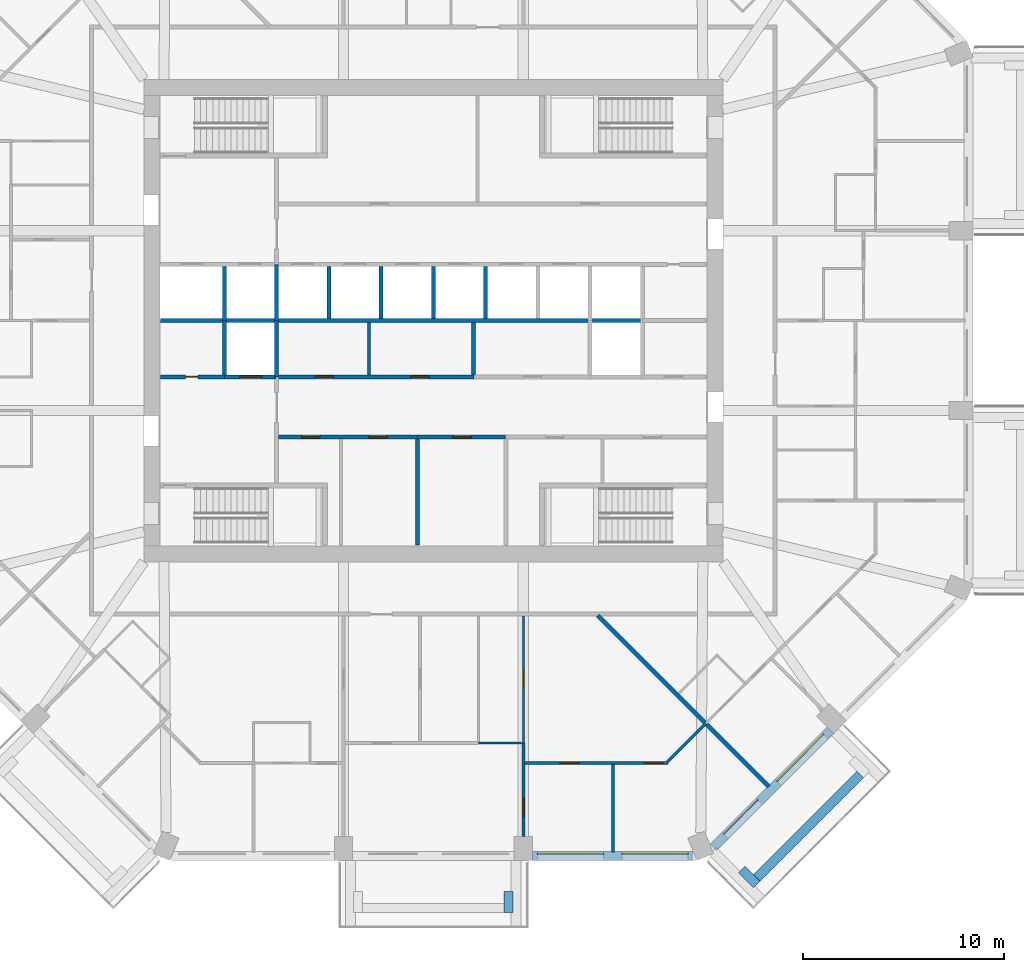
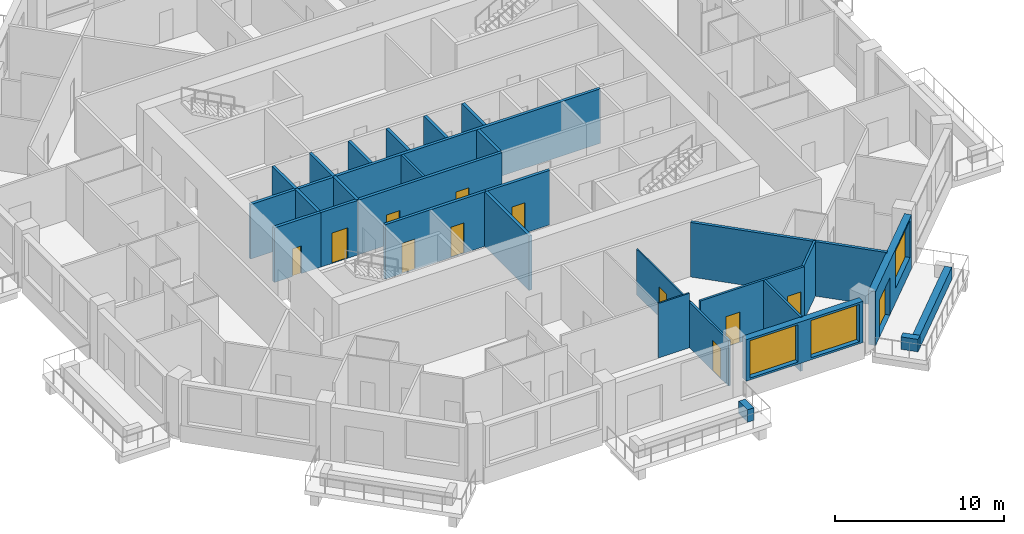
# One storey, part 5 of 13: 29 walls, 12 doors, 3 windows, 15 openings.
"""IFC4 building model written with IfcOpenShell, lengths in metres."""

import ifcopenshell
import ifcopenshell.guid

model = None  # the IFC model being written
_history = None  # IfcOwnerHistory: only IFC2X3 demands one
_inside = {}  # id of a spatial element -> (the spatial element, [elements in it])
_under = {}  # id of a project, library or spatial element -> (it, [spatial elements below it])
_declared = {}  # id of a project -> (the project, [libraries it declares])
_typed = {}  # id of a type object -> (the type object, [elements of that type])
_made_of = {}  # id of a material, layer set ... -> (it, [elements and type objects made of it])


def new_model(schema):
    """Start an empty IFC model of exactly this schema.

    Asked for "IFC4X3", IfcOpenShell would pick the latest addendum, in which some entities
    have other attributes; the version numbers below select the first issue.
    IFC2X3 requires an IfcOwnerHistory on every rooted entity: one is made here for all.
    """
    global model, _history
    if schema == "IFC4X3":
        model = ifcopenshell.file(schema_version=(4, 3, 0, 0))
    else:
        model = ifcopenshell.file(schema=schema)
    _inside.clear()
    _under.clear()
    _declared.clear()
    _typed.clear()
    _made_of.clear()
    _history = None
    if model.schema == "IFC2X3":
        org = make("IfcOrganization", Name="unknown")
        user = make(
            "IfcPersonAndOrganization",
            ThePerson=make("IfcPerson", FamilyName="unknown"),
            TheOrganization=org,
        )
        app = make(
            "IfcApplication",
            ApplicationDeveloper=org,
            Version="unknown",
            ApplicationFullName="unknown",
            ApplicationIdentifier="unknown",
        )
        _history = make(
            "IfcOwnerHistory",
            OwningUser=user,
            OwningApplication=app,
            ChangeAction="ADDED",
            CreationDate=0,
        )
    return model


def make(cls, **values):
    """One entity of the class cls with the attributes given. An attribute that is None is left unset."""
    return model.create_entity(
        cls, **{name: value for name, value in values.items() if value is not None}
    )


def rooted(cls, **values):
    """An entity with a GlobalId (a new one), such as an element, a storey or a relation."""
    return make(cls, GlobalId=ifcopenshell.guid.new(), OwnerHistory=_history, **values)


def si_unit(unit_type, name, prefix=None):
    """IfcSIUnit, for example si_unit("LENGTHUNIT", "METRE", prefix="MILLI")."""
    return make("IfcSIUnit", UnitType=unit_type, Prefix=prefix, Name=name)


def assignment(units):
    """IfcUnitAssignment: the units of a project."""
    return None if units is None else make("IfcUnitAssignment", Units=units)


def point(xyz):
    """IfcCartesianPoint."""
    return None if xyz is None else make("IfcCartesianPoint", Coordinates=xyz)


def direction(xyz):
    """IfcDirection."""
    return None if xyz is None else make("IfcDirection", DirectionRatios=xyz)


def frame(location, z_axis=None, x_axis=None):
    """IfcAxis2Placement3D, a coordinate frame: its origin and axes. An axis left out is left unset."""
    return make(
        "IfcAxis2Placement3D",
        Location=point(location),
        Axis=direction(z_axis),
        RefDirection=direction(x_axis),
    )


def frame_2d(location, x_axis=None):
    """IfcAxis2Placement2D, a coordinate frame in the plane: its origin and x axis."""
    return make(
        "IfcAxis2Placement2D", Location=point(location), RefDirection=direction(x_axis)
    )


def origin():
    """The frame at (0, 0, 0) with its axes left unset."""
    return frame((0.0, 0.0, 0.0))


def place(relative_to, where):
    """IfcLocalPlacement: puts the frame where relative to a parent placement (None: the world)."""
    return make(
        "IfcLocalPlacement", PlacementRelTo=relative_to, RelativePlacement=where
    )


def context(
    kind, dimensions, precision=None, world=None, true_north=None, identifier=None
):
    """IfcGeometricRepresentationContext, for example the 3D "Model" context."""
    return make(
        "IfcGeometricRepresentationContext",
        ContextIdentifier=identifier,
        ContextType=kind,
        CoordinateSpaceDimension=dimensions,
        Precision=precision,
        WorldCoordinateSystem=world,
        TrueNorth=true_north,
    )


def subcontext(parent, identifier, kind, view, scale=None):
    """IfcGeometricRepresentationSubContext, for example "Body" below "Model"."""
    return make(
        "IfcGeometricRepresentationSubContext",
        ContextIdentifier=identifier,
        ContextType=kind,
        ParentContext=parent,
        TargetScale=scale,
        TargetView=view,
    )


def project(units=None, contexts=None):
    """IfcProject with its units and contexts."""
    return rooted(
        "IfcProject",
        Name="project",
        RepresentationContexts=contexts,
        UnitsInContext=assignment(units),
    )


def spatial(cls, under=None, at=None, **own):
    """A site, building, storey or space (cls), placed at a placement, below another one or the project."""
    s = rooted(cls, ObjectPlacement=at, **own)
    if under is not None:
        _under.setdefault(under.id(), (under, []))[1].append(s)
    return s


def profile(cls, at=None, kind="AREA", **sizes):
    """A parametric profile (cls). Its sizes go by their IFC names, for example OverallWidth=200.0."""
    return make(cls, ProfileType=kind, Position=at, **sizes)


def rectangle(**sizes):
    """IfcRectangleProfileDef."""
    return profile("IfcRectangleProfileDef", **sizes)


def extrude(swept, where, along, depth):
    """IfcExtrudedAreaSolid: the profile swept, set in the frame where, extruded along a direction by depth."""
    return make(
        "IfcExtrudedAreaSolid",
        SweptArea=swept,
        Position=where,
        ExtrudedDirection=direction(along),
        Depth=depth,
    )


def shape(context_of_items, identifier, shape_type, items):
    """IfcShapeRepresentation: the items that make up one representation, for example the "Body"."""
    return make(
        "IfcShapeRepresentation",
        ContextOfItems=context_of_items,
        RepresentationIdentifier=identifier,
        RepresentationType=shape_type,
        Items=items,
    )


def material(Name=None, Category=None):
    """IfcMaterial."""
    return make("IfcMaterial", Name=Name, Category=Category)


def layer(
    of_material, thickness, ventilated=None, Name=None, Category=None, Priority=None
):
    """IfcMaterialLayer: one layer of a wall or slab, of a material (None: an air gap)."""
    return make(
        "IfcMaterialLayer",
        Material=of_material,
        LayerThickness=thickness,
        IsVentilated=ventilated,
        Name=Name,
        Category=Category,
        Priority=Priority,
    )


def layer_set(layers, Name=None):
    """IfcMaterialLayerSet."""
    return make("IfcMaterialLayerSet", MaterialLayers=layers, LayerSetName=Name)


def made_of(thing, what):
    """Note that an element or type object is made of a material, layer set ...; save() writes the relation."""
    if what is not None:
        _made_of.setdefault(what.id(), (what, []))[1].append(thing)
    return thing


def type_object(cls, material=None, **own):
    """A type object (cls), such as IfcWallType, which elements share."""
    return made_of(rooted(cls, **own), material)


def element(
    cls,
    number,
    at=None,
    inside=None,
    cuts=None,
    type_object=None,
    material=None,
    context=None,
    identifier="Body",
    shape_type=None,
    held_by="IfcProductDefinitionShape",
    body=None,
    shapes=None,
    **own,
):
    """One element of the class cls, such as IfcWall. Its Tag is "e" and its number.

    at: its placement. inside: the storey or other place that contains it. cuts: it is an
    opening in that element (IfcRelVoidsElement). A single representation is given by context,
    identifier, shape_type and body (its items); several are given by shapes. held_by: the class
    of the entity that holds the representations. save() writes the other relations.
    """
    e = rooted(cls, Tag="e%d" % number, ObjectPlacement=at, **own)
    if body is not None:
        shapes = [shape(context, identifier, shape_type, body)]
    if shapes is not None:
        e.Representation = make(held_by, Representations=shapes)
    if inside is not None:
        _inside.setdefault(inside.id(), (inside, []))[1].append(e)
    if cuts is not None:
        rooted(
            "IfcRelVoidsElement", RelatingBuildingElement=cuts, RelatedOpeningElement=e
        )
    if type_object is not None:
        _typed.setdefault(type_object.id(), (type_object, []))[1].append(e)
    return made_of(e, material)


def fill(opening, filler):
    """IfcRelFillsElement: the door or window that sits in an opening."""
    return rooted(
        "IfcRelFillsElement",
        RelatingOpeningElement=opening,
        RelatedBuildingElement=filler,
    )


def aggregate(whole, parts):
    """IfcRelAggregates: a whole, such as a stair, and the parts it consists of."""
    return rooted("IfcRelAggregates", RelatingObject=whole, RelatedObjects=parts)


def save(model, path):
    """Write the relations noted so far, then the file.

    IfcRelAggregates (storeys below a building ...), IfcRelContainedInSpatialStructure (elements
    in a storey), IfcRelDefinesByType, IfcRelAssociatesMaterial and IfcRelDeclares: one each for
    every whole, place, type object, material and project.
    """
    for whole, parts in _under.values():
        aggregate(whole, parts)
    for where, things in _inside.values():
        rooted(
            "IfcRelContainedInSpatialStructure",
            RelatedElements=things,
            RelatingStructure=where,
        )
    for kind, things in _typed.values():
        rooted("IfcRelDefinesByType", RelatedObjects=things, RelatingType=kind)
    for what, things in _made_of.values():
        rooted("IfcRelAssociatesMaterial", RelatedObjects=things, RelatingMaterial=what)
    for by, libraries in _declared.values():
        rooted("IfcRelDeclares", RelatingContext=by, RelatedDefinitions=libraries)
    model.write(path)


model = new_model("IFC4")

# Units and contexts
model_context = context("Model", 3, precision=1e-05, world=origin(), true_north=direction((0.0, 1.0)))
body_context = subcontext(model_context, "Body", "Model", "MODEL_VIEW")
ifc_project = project(units=[si_unit("LENGTHUNIT", "METRE"), si_unit("AREAUNIT", "SQUARE_METRE"), si_unit("VOLUMEUNIT", "CUBIC_METRE"), si_unit("PLANEANGLEUNIT", "RADIAN"), si_unit("MASSUNIT", "GRAM", prefix="KILO")], contexts=[model_context])

# Site, building, storey
site_placement = place(None, origin())
site = spatial("IfcSite", under=ifc_project, at=site_placement, CompositionType="ELEMENT")
building_placement = place(site_placement, origin())
building = spatial("IfcBuilding", under=site, at=building_placement, Name="Msitu Wima Residences", CompositionType="ELEMENT")
storey_placement = place(building_placement, frame((0.0, 0.0, 140.10009765625)))
storey = spatial("IfcBuildingStorey", under=building, at=storey_placement, Name="L32", CompositionType="ELEMENT", Elevation=140.10009765625)

# Walls
ifc_material_1 = material(Name="Facing brick")
ifc_layer_1 = layer(ifc_material_1, 0.06494140625, Name="Facing brick")
ifc_material_2 = material(Name="Concrete C40/50", Category="concrete")
ifc_layer_2 = layer(ifc_material_2, 0.156005859375, Name="Concrete C40/50")
ifc_material_3 = material(Name="Waterproofing membrane")
ifc_layer_3 = layer(ifc_material_3, 0.00390625, Name="Waterproofing membrane")
ifc_material_4 = material(Name="Planting soil and planting")
ifc_layer_4 = layer(ifc_material_4, 0.22509765625, Name="Planting soil and planting")
ifc_layer_set_1 = layer_set([ifc_layer_1, ifc_layer_2, ifc_layer_3, ifc_layer_4], Name="Concrete C40/50")
wall_type_1 = type_object("IfcWallType", Name="Balcony planter PLANTER PL450", PredefinedType="USERDEFINED", material=ifc_layer_set_1)
wall_1_placement = place(storey_placement, frame((3.74365234375, -28.39990234375, 0.0), z_axis=(0.0, 0.0, 1.0), x_axis=(0.0, -1.0, 0.0)))
element("IfcWall", 1, at=wall_1_placement, inside=storey, type_object=wall_type_1, Name="Balcony planter S1 L32", ObjectType="PLANTER", PredefinedType="USERDEFINED", context=body_context, shape_type="SweptSolid", body=[
    extrude(rectangle(XDim=1.050048828125, YDim=0.449951171875, at=frame_2d((0.52490234375, 0.0))), origin(), (0.0, 0.0, 1.0), 0.89990234375),
])
wall_2_placement = place(storey_placement, frame((16.0751953125, -27.725830078125, 0.0), z_axis=(0.0, 0.0, 1.0), x_axis=(0.707106781187, 0.707106781187, 0.0)))
element("IfcWall", 2, at=wall_2_placement, inside=storey, type_object=wall_type_1, Name="Balcony planter SE0 L32", ObjectType="PLANTER", PredefinedType="USERDEFINED", context=body_context, shape_type="SweptSolid", body=[
    extrude(rectangle(XDim=7.288330078125, YDim=0.449951171875, at=frame_2d((3.64404296875, 0.0))), origin(), (0.0, 0.0, 1.0), 0.89990234375),
])
wall_3_placement = place(storey_placement, frame((15.332763671875, -27.301513671875, 0.0), z_axis=(0.0, 0.0, 1.0), x_axis=(0.707106781187, -0.707106781187, 0.0)))
element("IfcWall", 3, at=wall_3_placement, inside=storey, type_object=wall_type_1, Name="Balcony planter SE0 L32", ObjectType="PLANTER", PredefinedType="USERDEFINED", context=body_context, shape_type="SweptSolid", body=[
    extrude(rectangle(XDim=1.050048828125, YDim=0.449951171875, at=frame_2d((0.52490234375, 0.0))), origin(), (0.0, 0.0, 1.0), 0.89990234375),
])

# Wall, openings, windows
ifc_material_5 = material(Name="Brick (red buff mix)", Category="masonry")
ifc_layer_5 = layer(ifc_material_5, 0.449951171875)
ifc_layer_set_2 = layer_set([ifc_layer_5], Name="Brick (red buff mix)")
wall_type_2 = type_object("IfcWallType", Name="Brick infill wall BW450", PredefinedType="SOLIDWALL", material=ifc_layer_set_2)
wall_4_placement = place(storey_placement, frame((4.918701171875, -26.625, 0.89990234375), z_axis=(0.0, 0.0, 1.0), x_axis=(1.0, 0.0, 0.0)))
wall_4 = element("IfcWall", 4, at=wall_4_placement, inside=storey, type_object=wall_type_2, Name="Brick infill wall L32 S2", PredefinedType="SOLIDWALL", context=body_context, shape_type="SweptSolid", body=[
    extrude(rectangle(XDim=8.0, YDim=0.449951171875, at=frame_2d((4.0, 0.0))), origin(), (0.0, 0.0, 1.0), 3.0),
])
opening_1_placement = place(wall_4_placement, frame((0.25, 0.0, 0.14990234375)))
opening_1 = element("IfcOpeningElement", 5, at=opening_1_placement, cuts=wall_4, Name="Opening W30-32.019", PredefinedType="OPENING", context=body_context, shape_type="SweptSolid", body=[
    extrude(rectangle(XDim=3.300048828125, YDim=2.699951171875, at=frame_2d((1.64990234375, 1.35009765625))), frame((0.0, 0.23486328125, 0.0), z_axis=(0.0, -1.0, 0.0), x_axis=(1.0, 0.0, 0.0)), (0.0, 0.0, 1.0), 0.469970703125),
])
opening_2_placement = place(wall_4_placement, frame((4.4501953125, 0.0, 0.14990234375)))
opening_2 = element("IfcOpeningElement", 6, at=opening_2_placement, cuts=wall_4, Name="Opening W30-32.020", PredefinedType="OPENING", context=body_context, shape_type="SweptSolid", body=[
    extrude(rectangle(XDim=3.300048828125, YDim=2.699951171875, at=frame_2d((1.64990234375, 1.35009765625))), frame((0.0, 0.23486328125, 0.0), z_axis=(0.0, -1.0, 0.0), x_axis=(1.0, 0.0, 0.0)), (0.0, 0.0, 1.0), 0.469970703125),
])
ifc_material_6 = material(Name="Anodised aluminium, bronze finish, clear low-emissivity double glazing", Category="aluminium")
window_type = type_object("IfcWindowType", Name="Window W3300x2700", PartitioningType="DOUBLE_PANEL_VERTICAL", PredefinedType="WINDOW", material=ifc_material_6)
window_1_placement = place(opening_1_placement, origin())
window_1 = element("IfcWindow", 7, at=window_1_placement, inside=storey, type_object=window_type, Name="Window L32 S2.1", OverallHeight=2.699951171875, OverallWidth=3.300048828125, PartitioningType="SINGLE_PANEL", PredefinedType="WINDOW", context=body_context, shape_type="SweptSolid", body=[
    extrude(rectangle(XDim=3.300048828125, YDim=2.699951171875, at=frame_2d((1.64990234375, 1.35009765625))), frame((0.0, 0.135009765625, 0.0), z_axis=(0.0, -1.0, 0.0), x_axis=(1.0, 0.0, 0.0)), (0.0, 0.0, 1.0), 0.06005859375),
])
fill(opening_1, window_1)
window_2_placement = place(opening_2_placement, origin())
window_2 = element("IfcWindow", 8, at=window_2_placement, inside=storey, type_object=window_type, Name="Window L32 S2.2", OverallHeight=2.699951171875, OverallWidth=3.300048828125, PartitioningType="SINGLE_PANEL", PredefinedType="WINDOW", context=body_context, shape_type="SweptSolid", body=[
    extrude(rectangle(XDim=3.300048828125, YDim=2.699951171875, at=frame_2d((1.64990234375, 1.35009765625))), frame((0.0, 0.135009765625, 0.0), z_axis=(0.0, -1.0, 0.0), x_axis=(1.0, 0.0, 0.0)), (0.0, 0.0, 1.0), 0.06005859375),
])
fill(opening_2, window_2)

# Wall, openings, door, window
wall_5_placement = place(storey_placement, frame((13.909423828125, -26.214599609375, 0.0), z_axis=(0.0, 0.0, 1.0), x_axis=(0.707106781187, 0.707106781187, 0.0)))
wall_5 = element("IfcWall", 9, at=wall_5_placement, inside=storey, type_object=wall_type_2, Name="Brick infill wall L32 SE0", PredefinedType="SOLIDWALL", context=body_context, shape_type="SweptSolid", body=[
    extrude(rectangle(XDim=8.251220703125, YDim=0.449951171875, at=frame_2d((4.12548828125, 0.0))), origin(), (0.0, 0.0, 1.0), 3.89990234375),
])
opening_3_placement = place(wall_5_placement, frame((0.86279296875, 0.0, 0.0)))
opening_3 = element("IfcOpeningElement", 10, at=opening_3_placement, cuts=wall_5, Name="Opening D30-32.007", PredefinedType="OPENING", context=body_context, shape_type="SweptSolid", body=[
    extrude(rectangle(XDim=2.39990234375, YDim=2.699951171875, at=frame_2d((1.199951171875, 1.35009765625))), frame((0.0, 0.23486328125, 0.0), z_axis=(0.0, -1.0, 0.0), x_axis=(1.0, 0.0, 0.0)), (0.0, 0.0, 1.0), 0.469970703125),
])
opening_4_placement = place(wall_5_placement, frame((4.57568359375, 0.0, 1.050048828125)))
opening_4 = element("IfcOpeningElement", 11, at=opening_4_placement, cuts=wall_5, Name="Opening W30-32.021", PredefinedType="OPENING", context=body_context, shape_type="SweptSolid", body=[
    extrude(rectangle(XDim=3.300048828125, YDim=2.699951171875, at=frame_2d((1.64990234375, 1.35009765625))), frame((0.0, 0.23486328125, 0.0), z_axis=(0.0, -1.0, 0.0), x_axis=(1.0, 0.0, 0.0)), (0.0, 0.0, 1.0), 0.469970703125),
])
door_type_1 = type_object("IfcDoorType", Name="Balcony door D2400x2700", OperationType="SLIDING_TO_LEFT", PredefinedType="DOOR", material=ifc_material_6)
door_1_placement = place(opening_3_placement, origin())
door_1 = element("IfcDoor", 12, at=door_1_placement, inside=storey, type_object=door_type_1, Name="Balcony door L32 SE0", OperationType="SINGLE_SWING_LEFT", OverallHeight=2.699951171875, OverallWidth=2.39990234375, PredefinedType="DOOR", context=body_context, shape_type="SweptSolid", body=[
    extrude(rectangle(XDim=2.39990234375, YDim=2.699951171875, at=frame_2d((1.199951171875, 1.35009765625))), frame((0.0, 0.1298828125, 0.0), z_axis=(0.0, -1.0, 0.0), x_axis=(1.0, 0.0, 0.0)), (0.0, 0.0, 1.0), 0.050048828125),
])
fill(opening_3, door_1)
window_3_placement = place(opening_4_placement, origin())
window_3 = element("IfcWindow", 13, at=window_3_placement, inside=storey, type_object=window_type, Name="Window L32 SE0.2", OverallHeight=2.699951171875, OverallWidth=3.300048828125, PartitioningType="SINGLE_PANEL", PredefinedType="WINDOW", context=body_context, shape_type="SweptSolid", body=[
    extrude(rectangle(XDim=3.300048828125, YDim=2.699951171875, at=frame_2d((1.64990234375, 1.35009765625))), frame((0.0, 0.135009765625, 0.0), z_axis=(0.0, -1.0, 0.0), x_axis=(1.0, 0.0, 0.0)), (0.0, 0.0, 1.0), 0.06005859375),
])
fill(opening_4, window_3)

# Wall, openings, doors
ifc_material_7 = material(Name="Plaster")
ifc_layer_6 = layer(ifc_material_7, 0.011962890625, Name="Plaster")
ifc_material_8 = material(Name="Concrete blockwork", Category="masonry")
ifc_layer_7 = layer(ifc_material_8, 0.176025390625, Name="Concrete blockwork")
ifc_layer_8 = layer(ifc_material_7, 0.011962890625, Name="Plaster")
ifc_layer_set_3 = layer_set([ifc_layer_6, ifc_layer_7, ifc_layer_8], Name="Concrete blockwork")
wall_type_3 = type_object("IfcWallType", Name="Corridor wall FW200", PredefinedType="PARTITIONING", material=ifc_layer_set_3)
wall_6_placement = place(storey_placement, frame((-7.820068359375, -2.800048828125, 0.0), z_axis=(0.0, 0.0, 1.0), x_axis=(1.0, 0.0, 0.0)))
wall_6 = element("IfcWall", 14, at=wall_6_placement, inside=storey, type_object=wall_type_3, Name="Corridor wall", PredefinedType="PARTITIONING", context=body_context, shape_type="SweptSolid", body=[
    extrude(rectangle(XDim=9.840087890625, YDim=0.199951171875, at=frame_2d((4.919921875, 0.0))), origin(), (0.0, 0.0, 1.0), 3.949951171875),
])
opening_5_placement = place(wall_6_placement, frame((1.949951171875, 0.0, 0.0)))
opening_5 = element("IfcOpeningElement", 15, at=opening_5_placement, cuts=wall_6, Name="Opening D30-32.031", PredefinedType="OPENING", context=body_context, shape_type="SweptSolid", body=[
    extrude(rectangle(XDim=0.89990234375, YDim=2.199951171875, at=frame_2d((0.449951171875, 1.10009765625))), frame((0.0, 0.10986328125, 0.0), z_axis=(0.0, -1.0, 0.0), x_axis=(1.0, 0.0, 0.0)), (0.0, 0.0, 1.0), 0.219970703125),
])
opening_6_placement = place(wall_6_placement, frame((6.699951171875, 0.0, 0.0)))
opening_6 = element("IfcOpeningElement", 16, at=opening_6_placement, cuts=wall_6, Name="Opening D30-32.032", PredefinedType="OPENING", context=body_context, shape_type="SweptSolid", body=[
    extrude(rectangle(XDim=0.89990234375, YDim=2.199951171875, at=frame_2d((0.449951171875, 1.10009765625))), frame((0.0, 0.10986328125, 0.0), z_axis=(0.0, -1.0, 0.0), x_axis=(1.0, 0.0, 0.0)), (0.0, 0.0, 1.0), 0.219970703125),
])
ifc_material_9 = material(Name="Timber flush door", Category="wood")
door_type_2 = type_object("IfcDoorType", Name="Service door D05 900x2200", OperationType="SINGLE_SWING_LEFT", PredefinedType="DOOR", material=ifc_material_9)
door_2_placement = place(opening_5_placement, origin())
door_2 = element("IfcDoor", 17, at=door_2_placement, inside=storey, type_object=door_type_2, Name="Service door", OperationType="SINGLE_SWING_RIGHT", OverallHeight=2.199951171875, OverallWidth=0.89990234375, PredefinedType="DOOR", context=body_context, shape_type="SweptSolid", body=[
    extrude(rectangle(XDim=0.89990234375, YDim=2.199951171875, at=frame_2d((0.449951171875, 1.10009765625))), frame((0.0, 0.02490234375, 0.0), z_axis=(0.0, -1.0, 0.0), x_axis=(1.0, 0.0, 0.0)), (0.0, 0.0, 1.0), 0.050048828125),
])
fill(opening_5, door_2)
door_3_placement = place(opening_6_placement, origin())
door_3 = element("IfcDoor", 18, at=door_3_placement, inside=storey, type_object=door_type_2, Name="Service door", OperationType="SINGLE_SWING_LEFT", OverallHeight=2.199951171875, OverallWidth=0.89990234375, PredefinedType="DOOR", context=body_context, shape_type="SweptSolid", body=[
    extrude(rectangle(XDim=0.89990234375, YDim=2.199951171875, at=frame_2d((0.449951171875, 1.10009765625))), frame((0.0, 0.02490234375, 0.0), z_axis=(0.0, -1.0, 0.0), x_axis=(1.0, 0.0, 0.0)), (0.0, 0.0, 1.0), 0.050048828125),
])
fill(opening_6, door_3)

wall_7_placement = place(storey_placement, frame((-7.699951171875, -5.800048828125, 0.0), z_axis=(0.0, 0.0, 1.0), x_axis=(1.0, 0.0, 0.0)))
wall_7 = element("IfcWall", 19, at=wall_7_placement, inside=storey, type_object=wall_type_3, Name="Corridor wall", PredefinedType="PARTITIONING", context=body_context, shape_type="SweptSolid", body=[
    extrude(rectangle(XDim=6.919921875, YDim=0.199951171875, at=frame_2d((3.4599609375, 0.0))), origin(), (0.0, 0.0, 1.0), 3.949951171875),
])
opening_7_placement = place(wall_7_placement, frame((1.14990234375, 0.0, 0.0)))
opening_7 = element("IfcOpeningElement", 20, at=opening_7_placement, cuts=wall_7, Name="Opening D30-32.022", PredefinedType="OPENING", context=body_context, shape_type="SweptSolid", body=[
    extrude(rectangle(XDim=0.89990234375, YDim=2.199951171875, at=frame_2d((0.449951171875, 1.10009765625))), frame((0.0, 0.10986328125, 0.0), z_axis=(0.0, -1.0, 0.0), x_axis=(1.0, 0.0, 0.0)), (0.0, 0.0, 1.0), 0.219970703125),
])
opening_8_placement = place(wall_7_placement, frame((4.5, 0.0, 0.0)))
opening_8 = element("IfcOpeningElement", 21, at=opening_8_placement, cuts=wall_7, Name="Opening D30-32.023", PredefinedType="OPENING", context=body_context, shape_type="SweptSolid", body=[
    extrude(rectangle(XDim=0.89990234375, YDim=2.199951171875, at=frame_2d((0.449951171875, 1.10009765625))), frame((0.0, 0.10986328125, 0.0), z_axis=(0.0, -1.0, 0.0), x_axis=(1.0, 0.0, 0.0)), (0.0, 0.0, 1.0), 0.219970703125),
])
door_4_placement = place(opening_7_placement, origin())
door_4 = element("IfcDoor", 22, at=door_4_placement, inside=storey, type_object=door_type_2, Name="Service door", OperationType="SINGLE_SWING_LEFT", OverallHeight=2.199951171875, OverallWidth=0.89990234375, PredefinedType="DOOR", context=body_context, shape_type="SweptSolid", body=[
    extrude(rectangle(XDim=0.89990234375, YDim=2.199951171875, at=frame_2d((0.449951171875, 1.10009765625))), frame((0.0, 0.02490234375, 0.0), z_axis=(0.0, -1.0, 0.0), x_axis=(1.0, 0.0, 0.0)), (0.0, 0.0, 1.0), 0.050048828125),
])
fill(opening_7, door_4)
door_5_placement = place(opening_8_placement, origin())
door_5 = element("IfcDoor", 23, at=door_5_placement, inside=storey, type_object=door_type_2, Name="Service door", OperationType="SINGLE_SWING_RIGHT", OverallHeight=2.199951171875, OverallWidth=0.89990234375, PredefinedType="DOOR", context=body_context, shape_type="SweptSolid", body=[
    extrude(rectangle(XDim=0.89990234375, YDim=2.199951171875, at=frame_2d((0.449951171875, 1.10009765625))), frame((0.0, 0.02490234375, 0.0), z_axis=(0.0, -1.0, 0.0), x_axis=(1.0, 0.0, 0.0)), (0.0, 0.0, 1.0), 0.050048828125),
])
fill(opening_8, door_5)

# Wall
ifc_layer_9 = layer(ifc_material_7, 0.011962890625, Name="Plaster")
ifc_layer_10 = layer(ifc_material_8, 0.1259765625, Name="Concrete blockwork")
ifc_layer_11 = layer(ifc_material_7, 0.011962890625, Name="Plaster")
ifc_layer_set_4 = layer_set([ifc_layer_9, ifc_layer_10, ifc_layer_11], Name="Concrete blockwork")
wall_type_4 = type_object("IfcWallType", Name="Partition PW150", PredefinedType="PARTITIONING", material=ifc_layer_set_4)
wall_8_placement = place(storey_placement, frame((-3.199951171875, -2.699951171875, 0.0), z_axis=(0.0, 0.0, 1.0), x_axis=(0.0, 1.0, 0.0)))
element("IfcWall", 24, at=wall_8_placement, inside=storey, type_object=wall_type_4, Name="Partition", PredefinedType="PARTITIONING", context=body_context, shape_type="SweptSolid", body=[
    extrude(rectangle(XDim=2.599853515625, YDim=0.14990234375, at=frame_2d((1.2998046875, 0.0))), origin(), (0.0, 0.0, 1.0), 3.949951171875),
])

# Wall, opening, door
wall_9_placement = place(storey_placement, frame((4.46875, -25.64990234375, 0.0), z_axis=(0.0, 0.0, 1.0), x_axis=(0.0, 1.0, 0.0)))
wall_9 = element("IfcWall", 25, at=wall_9_placement, inside=storey, type_object=wall_type_4, Name="Partition", PredefinedType="PARTITIONING", context=body_context, shape_type="SweptSolid", body=[
    extrude(rectangle(XDim=4.6298828125, YDim=0.14990234375, at=frame_2d((2.31494140625, 0.0))), origin(), (0.0, 0.0, 1.0), 3.2998046875),
])
opening_9_placement = place(wall_9_placement, frame((0.949951171875, 0.0, 0.0)))
opening_9 = element("IfcOpeningElement", 26, at=opening_9_placement, cuts=wall_9, Name="Opening D30-32.068", PredefinedType="OPENING", context=body_context, shape_type="SweptSolid", body=[
    extrude(rectangle(XDim=0.949951171875, YDim=2.199951171875, at=frame_2d((0.47509765625, 1.10009765625))), frame((0.0, 0.0849609375, 0.0), z_axis=(0.0, -1.0, 0.0), x_axis=(1.0, 0.0, 0.0)), (0.0, 0.0, 1.0), 0.169921875),
])
door_type_3 = type_object("IfcDoorType", Name="Room door D12 950x2200", OperationType="SINGLE_SWING_LEFT", PredefinedType="DOOR", material=ifc_material_9)
door_6_placement = place(opening_9_placement, origin())
door_6 = element("IfcDoor", 27, at=door_6_placement, inside=storey, type_object=door_type_3, Name="Room door", OperationType="SINGLE_SWING_LEFT", OverallHeight=2.199951171875, OverallWidth=0.949951171875, PredefinedType="DOOR", context=body_context, shape_type="SweptSolid", body=[
    extrude(rectangle(XDim=0.949951171875, YDim=2.199951171875, at=frame_2d((0.47509765625, 1.10009765625))), frame((0.0, 0.02490234375, 0.0), z_axis=(0.0, -1.0, 0.0), x_axis=(1.0, 0.0, 0.0)), (0.0, 0.0, 1.0), 0.050048828125),
])
fill(opening_9, door_6)

# Wall, openings, doors
wall_10_placement = place(storey_placement, frame((4.543701171875, -22.0, 0.0), z_axis=(0.0, 0.0, 1.0), x_axis=(1.0, 0.0, 0.0)))
wall_10 = element("IfcWall", 28, at=wall_10_placement, inside=storey, type_object=wall_type_4, Name="Partition", PredefinedType="PARTITIONING", context=body_context, shape_type="SweptSolid", body=[
    extrude(rectangle(XDim=7.11474609375, YDim=0.14990234375, at=frame_2d((3.557373046875, 0.0))), origin(), (0.0, 0.0, 1.0), 3.949951171875),
])
opening_10_placement = place(wall_10_placement, frame((1.75, 0.0, 0.0)))
opening_10 = element("IfcOpeningElement", 29, at=opening_10_placement, cuts=wall_10, Name="Opening D30-32.069", PredefinedType="OPENING", context=body_context, shape_type="SweptSolid", body=[
    extrude(rectangle(XDim=0.949951171875, YDim=2.199951171875, at=frame_2d((0.47509765625, 1.10009765625))), frame((0.0, 0.0849609375, 0.0), z_axis=(0.0, -1.0, 0.0), x_axis=(1.0, 0.0, 0.0)), (0.0, 0.0, 1.0), 0.169921875),
])
opening_11_placement = place(wall_10_placement, frame((5.949951171875, 0.0, 0.0)))
opening_11 = element("IfcOpeningElement", 30, at=opening_11_placement, cuts=wall_10, Name="Opening D30-32.072", PredefinedType="OPENING", context=body_context, shape_type="SweptSolid", body=[
    extrude(rectangle(XDim=0.949951171875, YDim=2.199951171875, at=frame_2d((0.47509765625, 1.10009765625))), frame((0.0, 0.0849609375, 0.0), z_axis=(0.0, -1.0, 0.0), x_axis=(1.0, 0.0, 0.0)), (0.0, 0.0, 1.0), 0.169921875),
])
door_7_placement = place(opening_10_placement, origin())
door_7 = element("IfcDoor", 31, at=door_7_placement, inside=storey, type_object=door_type_3, Name="Room door", OperationType="SINGLE_SWING_LEFT", OverallHeight=2.199951171875, OverallWidth=0.949951171875, PredefinedType="DOOR", context=body_context, shape_type="SweptSolid", body=[
    extrude(rectangle(XDim=0.949951171875, YDim=2.199951171875, at=frame_2d((0.47509765625, 1.10009765625))), frame((0.0, 0.02490234375, 0.0), z_axis=(0.0, -1.0, 0.0), x_axis=(1.0, 0.0, 0.0)), (0.0, 0.0, 1.0), 0.050048828125),
])
fill(opening_10, door_7)
door_8_placement = place(opening_11_placement, origin())
door_8 = element("IfcDoor", 32, at=door_8_placement, inside=storey, type_object=door_type_3, Name="Room door", OperationType="SINGLE_SWING_RIGHT", OverallHeight=2.199951171875, OverallWidth=0.949951171875, PredefinedType="DOOR", context=body_context, shape_type="SweptSolid", body=[
    extrude(rectangle(XDim=0.949951171875, YDim=2.199951171875, at=frame_2d((0.47509765625, 1.10009765625))), frame((0.0, 0.02490234375, 0.0), z_axis=(0.0, -1.0, 0.0), x_axis=(1.0, 0.0, 0.0)), (0.0, 0.0, 1.0), 0.050048828125),
])
fill(opening_11, door_8)

# Walls
wall_11_placement = place(storey_placement, frame((8.937255859375, -26.455078125, 0.0), z_axis=(0.0, 0.0, 1.0), x_axis=(0.0, 1.0, 0.0)))
element("IfcWall", 33, at=wall_11_placement, inside=storey, type_object=wall_type_4, Name="Partition", PredefinedType="PARTITIONING", context=body_context, shape_type="SweptSolid", body=[
    extrude(rectangle(XDim=4.380126953125, YDim=0.14990234375, at=frame_2d((2.18994140625, 0.0))), origin(), (0.0, 0.0, 1.0), 3.949951171875),
])
wall_12_placement = place(storey_placement, frame((11.636474609375, -21.947021484375, 0.0), z_axis=(0.0, 0.0, 1.0), x_axis=(0.707106781187, 0.707106781187, 0.0)))
element("IfcWall", 34, at=wall_12_placement, inside=storey, type_object=wall_type_4, Name="Partition", PredefinedType="PARTITIONING", context=body_context, shape_type="SweptSolid", body=[
    extrude(rectangle(XDim=2.696533203125, YDim=0.14990234375, at=frame_2d((1.34814453125, 0.0))), origin(), (0.0, 0.0, 1.0), 3.949951171875),
])
ifc_layer_12 = layer(ifc_material_7, 0.011962890625, Name="Plaster")
ifc_material_10 = material(Name="Dense concrete blockwork", Category="masonry")
ifc_layer_13 = layer(ifc_material_10, 0.176025390625, Name="Dense concrete blockwork")
ifc_layer_14 = layer(ifc_material_7, 0.011962890625, Name="Plaster")
ifc_layer_set_5 = layer_set([ifc_layer_12, ifc_layer_13, ifc_layer_14], Name="Dense concrete blockwork")
wall_type_5 = type_object("IfcWallType", Name="Party wall PW200", PredefinedType="PARTITIONING", material=ifc_layer_set_5)
wall_13_placement = place(storey_placement, frame((8.173583984375, -14.670654296875, 0.0), z_axis=(0.0, 0.0, 1.0), x_axis=(0.707106781187, -0.707106781187, 0.0)))
element("IfcWall", 35, at=wall_13_placement, inside=storey, type_object=wall_type_5, Name="Party wall", PredefinedType="PARTITIONING", context=body_context, shape_type="SweptSolid", body=[
    extrude(rectangle(XDim=12.048828125, YDim=0.199951171875, at=frame_2d((6.0244140625, 0.0))), origin(), (0.0, 0.0, 1.0), 3.949951171875),
])

# Wall, opening, door
ifc_layer_15 = layer(ifc_material_7, 0.011962890625, Name="Plaster")
ifc_material_11 = material(Name="Reinforced concrete blockwork", Category="masonry")
ifc_layer_16 = layer(ifc_material_11, 0.176025390625, Name="Reinforced concrete blockwork")
ifc_layer_17 = layer(ifc_material_7, 0.011962890625, Name="Plaster")
ifc_layer_set_6 = layer_set([ifc_layer_15, ifc_layer_16, ifc_layer_17], Name="Reinforced concrete blockwork")
wall_type_6 = type_object("IfcWallType", Name="Plant and riser wall PL200", PredefinedType="PARTITIONING", material=ifc_layer_set_6)
wall_14_placement = place(storey_placement, frame((-13.570068359375, -2.800048828125, 0.0), z_axis=(0.0, 0.0, 1.0), x_axis=(1.0, 0.0, 0.0)))
wall_14 = element("IfcWall", 36, at=wall_14_placement, inside=storey, type_object=wall_type_6, Name="Plant and riser wall", PredefinedType="PARTITIONING", context=body_context, shape_type="SweptSolid", body=[
    extrude(rectangle(XDim=3.190185546875, YDim=0.199951171875, at=frame_2d((1.59521484375, 0.0))), origin(), (0.0, 0.0, 1.0), 3.949951171875),
])
opening_12_placement = place(wall_14_placement, frame((1.25, 0.0, 0.0)))
opening_12 = element("IfcOpeningElement", 37, at=opening_12_placement, cuts=wall_14, Name="Opening D30-32.030", PredefinedType="OPENING", context=body_context, shape_type="SweptSolid", body=[
    extrude(rectangle(XDim=0.60009765625, YDim=2.0, at=frame_2d((0.300048828125, 1.0))), frame((0.0, 0.10986328125, 0.0), z_axis=(0.0, -1.0, 0.0), x_axis=(1.0, 0.0, 0.0)), (0.0, 0.0, 1.0), 0.219970703125),
])
ifc_material_12 = material(Name="Steel access door, fire resisting", Category="steel")
door_type_4 = type_object("IfcDoorType", Name="Riser access door D08 600x2000", OperationType="SINGLE_SWING_LEFT", PredefinedType="DOOR", material=ifc_material_12)
door_9_placement = place(opening_12_placement, origin())
door_9 = element("IfcDoor", 38, at=door_9_placement, inside=storey, type_object=door_type_4, Name="Riser access door", OperationType="SINGLE_SWING_RIGHT", OverallHeight=2.0, OverallWidth=0.60009765625, PredefinedType="DOOR", context=body_context, shape_type="SweptSolid", body=[
    extrude(rectangle(XDim=0.60009765625, YDim=2.0, at=frame_2d((0.300048828125, 1.0))), frame((0.0, 0.02490234375, 0.0), z_axis=(0.0, -1.0, 0.0), x_axis=(1.0, 0.0, 0.0)), (0.0, 0.0, 1.0), 0.050048828125),
])
fill(opening_12, door_9)

wall_15_placement = place(storey_placement, frame((-0.780029296875, -5.800048828125, 0.0), z_axis=(0.0, 0.0, 1.0), x_axis=(1.0, 0.0, 0.0)))
wall_15 = element("IfcWall", 39, at=wall_15_placement, inside=storey, type_object=wall_type_6, Name="Plant and riser wall", PredefinedType="PARTITIONING", context=body_context, shape_type="SweptSolid", body=[
    extrude(rectangle(XDim=4.360107421875, YDim=0.199951171875, at=frame_2d((2.18017578125, 0.0))), origin(), (0.0, 0.0, 1.0), 3.949951171875),
])
opening_13_placement = place(wall_15_placement, frame((1.75, 0.0, 0.0)))
opening_13 = element("IfcOpeningElement", 40, at=opening_13_placement, cuts=wall_15, Name="Opening D30-32.024", PredefinedType="OPENING", context=body_context, shape_type="SweptSolid", body=[
    extrude(rectangle(XDim=0.89990234375, YDim=2.199951171875, at=frame_2d((0.449951171875, 1.10009765625))), frame((0.0, 0.10986328125, 0.0), z_axis=(0.0, -1.0, 0.0), x_axis=(1.0, 0.0, 0.0)), (0.0, 0.0, 1.0), 0.219970703125),
])
door_10_placement = place(opening_13_placement, origin())
door_10 = element("IfcDoor", 41, at=door_10_placement, inside=storey, type_object=door_type_2, Name="Service door", OperationType="SINGLE_SWING_LEFT", OverallHeight=2.199951171875, OverallWidth=0.89990234375, PredefinedType="DOOR", context=body_context, shape_type="SweptSolid", body=[
    extrude(rectangle(XDim=0.89990234375, YDim=2.199951171875, at=frame_2d((0.449951171875, 1.10009765625))), frame((0.0, 0.02490234375, 0.0), z_axis=(0.0, -1.0, 0.0), x_axis=(1.0, 0.0, 0.0)), (0.0, 0.0, 1.0), 0.050048828125),
])
fill(opening_13, door_10)

# Walls
wall_16_placement = place(storey_placement, frame((-0.800048828125, -11.169921875, 0.0), z_axis=(0.0, 0.0, 1.0), x_axis=(0.0, 1.0, 0.0)))
element("IfcWall", 42, at=wall_16_placement, inside=storey, type_object=wall_type_6, Name="Plant and riser wall", PredefinedType="PARTITIONING", context=body_context, shape_type="SweptSolid", body=[
    extrude(rectangle(XDim=5.27001953125, YDim=0.199951171875, at=frame_2d((2.635009765625, 0.0))), origin(), (0.0, 0.0, 1.0), 3.949951171875),
])
wall_17_placement = place(storey_placement, frame((2.0, -2.699951171875, 0.0), z_axis=(0.0, 0.0, 1.0), x_axis=(0.0, 1.0, 0.0)))
element("IfcWall", 43, at=wall_17_placement, inside=storey, type_object=wall_type_6, Name="Plant and riser wall", PredefinedType="PARTITIONING", context=body_context, shape_type="SweptSolid", body=[
    extrude(rectangle(XDim=2.599853515625, YDim=0.199951171875, at=frame_2d((1.2998046875, 0.0))), origin(), (0.0, 0.0, 1.0), 3.949951171875),
])
ifc_material_13 = material(Name="Fire-rated board")
ifc_layer_18 = layer(ifc_material_13, 0.02490234375, Name="Fire-rated board")
ifc_material_14 = material(Name="Light-gauge stud framing with mineral wool")
ifc_layer_19 = layer(ifc_material_14, 0.14990234375, Name="Light-gauge stud framing with mineral wool")
ifc_layer_20 = layer(ifc_material_13, 0.02490234375, Name="Fire-rated board")
ifc_layer_set_7 = layer_set([ifc_layer_18, ifc_layer_19, ifc_layer_20], Name="Light-gauge stud framing with mineral wool")
wall_type_7 = type_object("IfcWallType", Name="Shaft wall SH200", PredefinedType="PARTITIONING", material=ifc_layer_set_7)
wall_18_placement = place(storey_placement, frame((-13.570068359375, 0.0, 0.0), z_axis=(0.0, 0.0, 1.0), x_axis=(1.0, 0.0, 0.0)))
element("IfcWall", 44, at=wall_18_placement, inside=storey, type_object=wall_type_7, Name="Shaft wall", PredefinedType="PARTITIONING", context=body_context, shape_type="SweptSolid", body=[
    extrude(rectangle(XDim=23.969970703125, YDim=0.199951171875, at=frame_2d((11.98486328125, 0.0))), origin(), (0.0, 0.0, 1.0), 3.949951171875),
])
wall_19_placement = place(storey_placement, frame((-10.39990234375, -2.699951171875, 0.0), z_axis=(0.0, 0.0, 1.0), x_axis=(0.0, 1.0, 0.0)))
element("IfcWall", 45, at=wall_19_placement, inside=storey, type_object=wall_type_7, Name="Shaft wall", PredefinedType="PARTITIONING", context=body_context, shape_type="SweptSolid", body=[
    extrude(rectangle(XDim=2.699951171875, YDim=0.199951171875, at=frame_2d((1.35009765625, 0.0))), origin(), (0.0, 0.0, 1.0), 3.949951171875),
])

# Wall, opening, door
wall_20_placement = place(storey_placement, frame((-10.3798828125, -2.800048828125, 0.0), z_axis=(0.0, 0.0, 1.0), x_axis=(1.0, 0.0, 0.0)))
wall_20 = element("IfcWall", 46, at=wall_20_placement, inside=storey, type_object=wall_type_7, Name="Shaft wall", PredefinedType="PARTITIONING", context=body_context, shape_type="SweptSolid", body=[
    extrude(rectangle(XDim=2.559814453125, YDim=0.199951171875, at=frame_2d((1.27978515625, 0.0))), origin(), (0.0, 0.0, 1.0), 3.949951171875),
])
opening_14_placement = place(wall_20_placement, frame((0.75, 0.0, 0.0)))
opening_14 = element("IfcOpeningElement", 47, at=opening_14_placement, cuts=wall_20, Name="Opening LD", PredefinedType="OPENING", context=body_context, shape_type="SweptSolid", body=[
    extrude(rectangle(XDim=1.10009765625, YDim=2.199951171875, at=frame_2d((0.550048828125, 1.10009765625))), frame((0.0, 0.10986328125, 0.0), z_axis=(0.0, -1.0, 0.0), x_axis=(1.0, 0.0, 0.0)), (0.0, 0.0, 1.0), 0.219970703125),
])
ifc_material_15 = material(Name="Stainless steel centre-opening landing door, rated", Category="steel")
door_type_5 = type_object("IfcDoorType", Name="Lift landing door LD 1100x2200", OperationType="DOUBLE_DOOR_SLIDING", PredefinedType="DOOR", material=ifc_material_15)
door_11_placement = place(opening_14_placement, origin())
door_11 = element("IfcDoor", 48, at=door_11_placement, inside=storey, type_object=door_type_5, Name="Lift landing door LD3", OperationType="DOUBLE_DOOR_SLIDING", OverallHeight=2.199951171875, OverallWidth=1.10009765625, PredefinedType="DOOR", context=body_context, shape_type="SweptSolid", body=[
    extrude(rectangle(XDim=1.10009765625, YDim=2.199951171875, at=frame_2d((0.550048828125, 1.10009765625))), frame((0.0, 0.02490234375, 0.0), z_axis=(0.0, -1.0, 0.0), x_axis=(1.0, 0.0, 0.0)), (0.0, 0.0, 1.0), 0.050048828125),
])
fill(opening_14, door_11)

# Walls
wall_21_placement = place(storey_placement, frame((-10.39990234375, 0.0, 0.0), z_axis=(0.0, 0.0, 1.0), x_axis=(0.0, 1.0, 0.0)))
element("IfcWall", 49, at=wall_21_placement, inside=storey, type_object=wall_type_7, Name="Shaft wall", PredefinedType="PARTITIONING", context=body_context, shape_type="SweptSolid", body=[
    extrude(rectangle(XDim=2.699951171875, YDim=0.199951171875, at=frame_2d((1.35009765625, 0.0))), origin(), (0.0, 0.0, 1.0), 3.949951171875),
])
for number, where, z_axis, x_axis, name in (
    (50, (-7.800048828125, -2.800048828125, 0.0), (0.0, 0.0, 1.0), (0.0, 1.0, 0.0), "Shaft wall"),
    (51, (-7.800048828125, 0.0, 0.0), (0.0, 0.0, 1.0), (0.0, 1.0, 0.0), "Shaft wall"),
):
    element("IfcWall", number, at=place(storey_placement, frame(where, z_axis=z_axis, x_axis=x_axis)), inside=storey, type_object=wall_type_7, Name=name, PredefinedType="PARTITIONING", context=body_context, shape_type="SweptSolid", body=[
        extrude(rectangle(XDim=2.800048828125, YDim=0.199951171875, at=frame_2d((1.39990234375, 0.0))), origin(), (0.0, 0.0, 1.0), 3.949951171875),
    ])
for number, where, z_axis, x_axis, name in (
    (52, (-5.199951171875, 0.10009765625, 0.0), (0.0, 0.0, 1.0), (0.0, 1.0, 0.0), "Shaft wall"),
    (53, (-2.60009765625, 0.10009765625, 0.0), (0.0, 0.0, 1.0), (0.0, 1.0, 0.0), "Shaft wall"),
    (54, (0.0, 0.10009765625, 0.0), (0.0, 0.0, 1.0), (0.0, 1.0, 0.0), "Shaft wall"),
    (55, (2.60009765625, 0.10009765625, 0.0), (0.0, 0.0, 1.0), (0.0, 1.0, 0.0), "Shaft wall"),
):
    element("IfcWall", number, at=place(storey_placement, frame(where, z_axis=z_axis, x_axis=x_axis)), inside=storey, type_object=wall_type_7, Name=name, PredefinedType="PARTITIONING", context=body_context, shape_type="SweptSolid", body=[
        extrude(rectangle(XDim=2.599853515625, YDim=0.199951171875, at=frame_2d((1.2998046875, 0.0))), origin(), (0.0, 0.0, 1.0), 3.949951171875),
    ])
ifc_material_16 = material(Name="Ceramic tiles")
ifc_layer_21 = layer(ifc_material_16, 0.008056640625, Name="Ceramic tiles")
ifc_material_17 = material(Name="Moisture-resistant board")
ifc_layer_22 = layer(ifc_material_17, 0.012451171875, Name="Moisture-resistant board")
ifc_layer_23 = layer(ifc_material_14, 0.06689453125, Name="Light-gauge stud framing with mineral wool")
ifc_layer_24 = layer(ifc_material_17, 0.012451171875, Name="Moisture-resistant board")
ifc_layer_set_8 = layer_set([ifc_layer_21, ifc_layer_22, ifc_layer_23, ifc_layer_24], Name="Light-gauge stud framing with mineral wool")
wall_type_8 = type_object("IfcWallType", Name="Wet wall PW100", PredefinedType="PARTITIONING", material=ifc_layer_set_8)
wall_22_placement = place(storey_placement, frame((2.25146484375, -21.0, 0.0), z_axis=(0.0, 0.0, 1.0), x_axis=(1.0, 0.0, 0.0)))
element("IfcWall", 56, at=wall_22_placement, inside=storey, type_object=wall_type_8, Name="Wet wall", PredefinedType="PARTITIONING", context=body_context, shape_type="SweptSolid", body=[
    extrude(rectangle(XDim=2.14208984375, YDim=0.10009765625, at=frame_2d((1.071044921875, 0.0))), origin(), (0.0, 0.0, 1.0), 3.949951171875),
])

# Wall, opening, door
wall_23_placement = place(storey_placement, frame((4.46875, -21.02001953125, 0.0), z_axis=(0.0, 0.0, 1.0), x_axis=(0.0, 1.0, 0.0)))
wall_23 = element("IfcWall", 57, at=wall_23_placement, inside=storey, type_object=wall_type_8, Name="Wet wall", PredefinedType="PARTITIONING", context=body_context, shape_type="SweptSolid", body=[
    extrude(rectangle(XDim=6.320068359375, YDim=0.10009765625, at=frame_2d((3.16015625, 0.0))), origin(), (0.0, 0.0, 1.0), 3.2998046875),
])
opening_15_placement = place(wall_23_placement, frame((2.75, 0.0, 0.0)))
opening_15 = element("IfcOpeningElement", 58, at=opening_15_placement, cuts=wall_23, Name="Opening D30-32.070", PredefinedType="OPENING", context=body_context, shape_type="SweptSolid", body=[
    extrude(rectangle(XDim=0.89990234375, YDim=2.199951171875, at=frame_2d((0.449951171875, 1.10009765625))), frame((0.0, 0.06005859375, 0.0), z_axis=(0.0, -1.0, 0.0), x_axis=(1.0, 0.0, 0.0)), (0.0, 0.0, 1.0), 0.1201171875),
])
ifc_material_18 = material(Name="Timber flush door, moisture resistant", Category="wood")
door_type_6 = type_object("IfcDoorType", Name="Bathroom door D03 900x2200", OperationType="SINGLE_SWING_LEFT", PredefinedType="DOOR", material=ifc_material_18)
door_12_placement = place(opening_15_placement, origin())
door_12 = element("IfcDoor", 59, at=door_12_placement, inside=storey, type_object=door_type_6, Name="Bathroom door", OperationType="SINGLE_SWING_RIGHT", OverallHeight=2.199951171875, OverallWidth=0.89990234375, PredefinedType="DOOR", context=body_context, shape_type="SweptSolid", body=[
    extrude(rectangle(XDim=0.89990234375, YDim=2.199951171875, at=frame_2d((0.449951171875, 1.10009765625))), frame((0.0, 0.02490234375, 0.0), z_axis=(0.0, -1.0, 0.0), x_axis=(1.0, 0.0, 0.0)), (0.0, 0.0, 1.0), 0.050048828125),
])
fill(opening_15, door_12)

save(model, "model.ifc")
